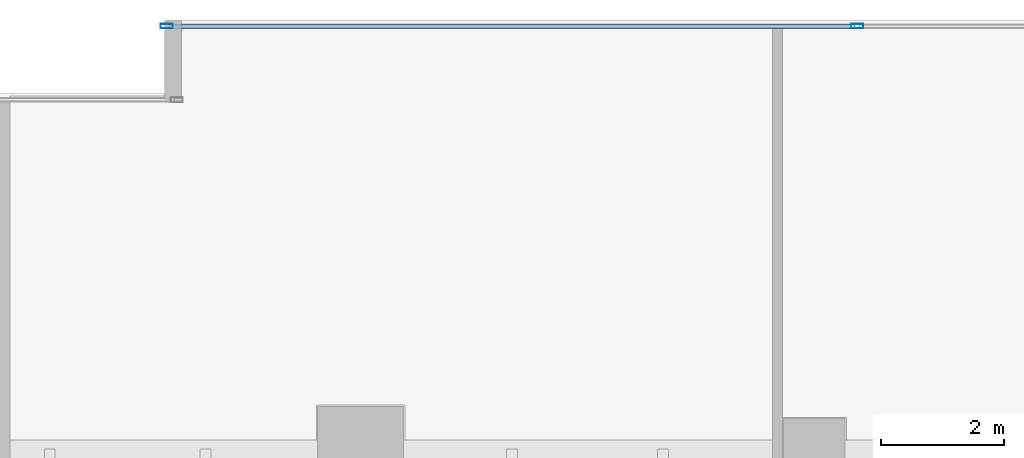
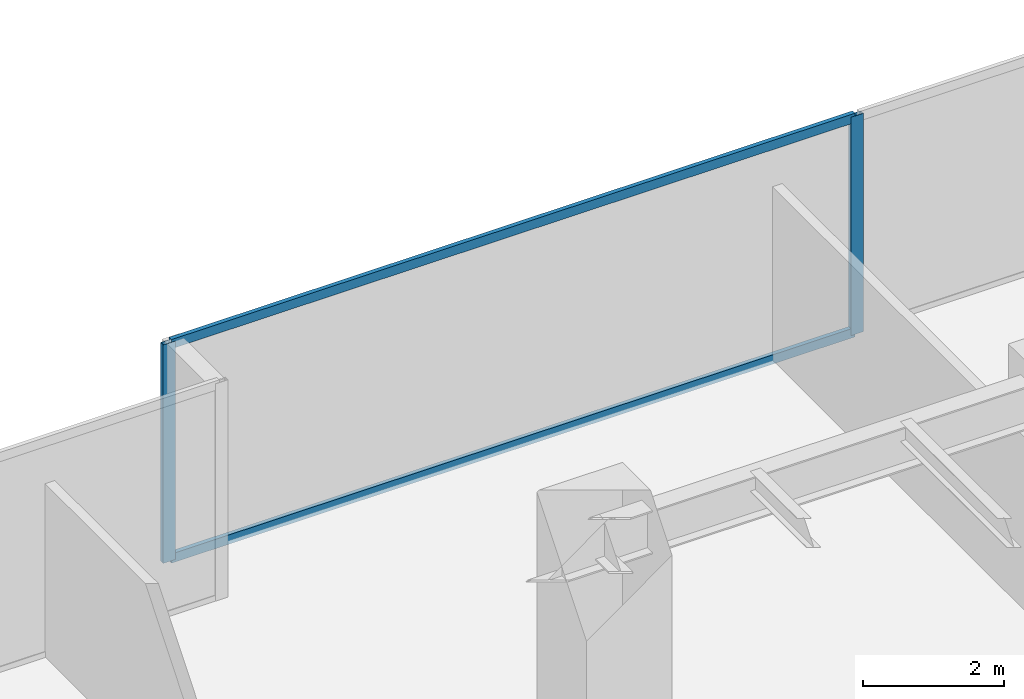
# One storey, part 22 of 37: 4 members, 1 element without a shape of its own.
"""IFC4 building model written with IfcOpenShell, lengths in metres."""

from ifc_helpers import new_model, si_unit, direction, frame, origin, origin_2d, place, context, subcontext, project, spatial, hollow_rectangle, extrude, source, transform, mapped, material, layer, layer_set, material_profile, profile_set, type_object, type_shapes, element, aggregate, save


model = new_model("IFC4")

# Units and contexts
model_context = context("Model", 3, precision=1e-05, world=origin(), true_north=direction((0.0, 1.0)))
body_context = subcontext(model_context, "Body", "Model", "MODEL_VIEW")
ifc_project = project(units=[si_unit("LENGTHUNIT", "METRE"), si_unit("AREAUNIT", "SQUARE_METRE"), si_unit("VOLUMEUNIT", "CUBIC_METRE"), si_unit("PLANEANGLEUNIT", "RADIAN"), si_unit("MASSUNIT", "GRAM", prefix="KILO")], contexts=[model_context])

# Site, building, storey
site_placement = place(None, origin())
site = spatial("IfcSite", under=ifc_project, at=site_placement, CompositionType="ELEMENT")
building_placement = place(site_placement, origin())
building = spatial("IfcBuilding", under=site, at=building_placement, Name="Haelvirn Gate Laboratories", CompositionType="ELEMENT")
storey_placement = place(building_placement, frame((0.0, 0.0, 78.5)))
storey = spatial("IfcBuildingStorey", under=building, at=storey_placement, Name="L19", CompositionType="ELEMENT", Elevation=78.5)

# Curtain wall, members
ifc_material_1 = material(Name="Anodised bronze unitised aluminium & triple low-E glass", Category="aluminium")
ifc_layer = layer(ifc_material_1, 0.18408203125, Name="CW-SYS-2")
ifc_layer_set = layer_set([ifc_layer], Name="Anodised bronze unitised aluminium & triple low-E glass")
curtain_wall_type = type_object("IfcCurtainWallType", Name="CW-SYS-2", PredefinedType="NOTDEFINED", material=ifc_layer_set)
curtain_wall_placement = place(storey_placement, origin())
curtain_wall = element("IfcCurtainWall", 1, at=curtain_wall_placement, inside=storey, type_object=curtain_wall_type, Name="L19 Unitised Curtain Wall CW-L19-P0-E10-1", PredefinedType="NOTDEFINED")
ifc_material_2 = material(Name="Extruded aluminium 6063-T6 (anodised bronze)", Category="aluminium")
ifc_material_profile_1 = material_profile(ifc_material_2, hollow_rectangle(XDim=0.074951171875, YDim=0.199951171875, WallThickness=0.0048828125, at=origin_2d()), Name="CWM-200x75x5")
ifc_profile_set_1 = profile_set([ifc_material_profile_1], Name="Extruded aluminium 6063-T6 (anodised bronze)")
member_type_1 = type_object("IfcMemberType", Name="CWM-T200", PredefinedType="MULLION", material=ifc_profile_set_1)
shared_shape_1 = source(origin(), body_context, "Body", "SweptSolid", [
    extrude(hollow_rectangle(XDim=0.074951171875, YDim=0.199951171875, WallThickness=0.0048828125, at=origin_2d()), origin(), (0.0, 0.0, 1.0), 3.780029296875),
])
type_shapes(member_type_1, [shared_shape_1])
member_1_placement = place(storey_placement, frame((49.4375, 48.5, 0.0), z_axis=(0.0, 0.0, 1.0), x_axis=(0.0, 1.0, 0.0)))
member_1 = element("IfcMember", 2, at=member_1_placement, type_object=member_type_1, Name="CW2 mullion 1", PredefinedType="MULLION", context=body_context, shape_type="MappedRepresentation", body=[
    mapped(shared_shape_1, transform((0.0, 0.0, 0.0), scale=1.0)),
])
member_2_placement = place(storey_placement, frame((60.699951171875, 48.5, 0.0), z_axis=(0.0, 0.0, 1.0), x_axis=(0.0, 1.0, 0.0)))
member_2 = element("IfcMember", 3, at=member_2_placement, type_object=member_type_1, Name="CW2 mullion 2", PredefinedType="MULLION", context=body_context, shape_type="MappedRepresentation", body=[
    mapped(shared_shape_1, transform((0.0, 0.0, 0.0), scale=1.0)),
])
ifc_material_profile_2 = material_profile(ifc_material_2, hollow_rectangle(XDim=0.070068359375, YDim=0.159912109375, WallThickness=0.0048828125, at=origin_2d()), Name="CWT-160x70x5")
ifc_profile_set_2 = profile_set([ifc_material_profile_2], Name="Extruded aluminium 6063-T6 (anodised bronze)")
member_type_2 = type_object("IfcMemberType", Name="CWT-T160", PredefinedType="USERDEFINED", material=ifc_profile_set_2)
shared_shape_2 = source(origin(), body_context, "Body", "SweptSolid", [
    extrude(hollow_rectangle(XDim=0.070068359375, YDim=0.159912109375, WallThickness=0.0048828125, at=origin_2d()), origin(), (0.0, 0.0, 1.0), 11.1875),
])
type_shapes(member_type_2, [shared_shape_2])
member_3_placement = place(storey_placement, frame((49.47509765625, 48.5, 0.034912109375), z_axis=(1.0, 0.0, 0.0), x_axis=(0.0, 1.0, 0.0)))
member_3 = element("IfcMember", 4, at=member_3_placement, type_object=member_type_2, Name="CW2 transom 1.1", ObjectType="TRANSOM", PredefinedType="USERDEFINED", context=body_context, shape_type="MappedRepresentation", body=[
    mapped(shared_shape_2, transform((0.0, 0.0, 0.0), scale=1.0)),
])
member_4_placement = place(storey_placement, frame((49.47509765625, 48.5, 3.7451171875), z_axis=(1.0, 0.0, 0.0), x_axis=(0.0, 1.0, 0.0)))
member_4 = element("IfcMember", 5, at=member_4_placement, type_object=member_type_2, Name="CW2 transom 1.2", ObjectType="TRANSOM", PredefinedType="USERDEFINED", context=body_context, shape_type="MappedRepresentation", body=[
    mapped(shared_shape_2, transform((0.0, 0.0, 0.0), scale=1.0)),
])
aggregate(curtain_wall, [member_1, member_2, member_3, member_4])

save(model, "model.ifc")
